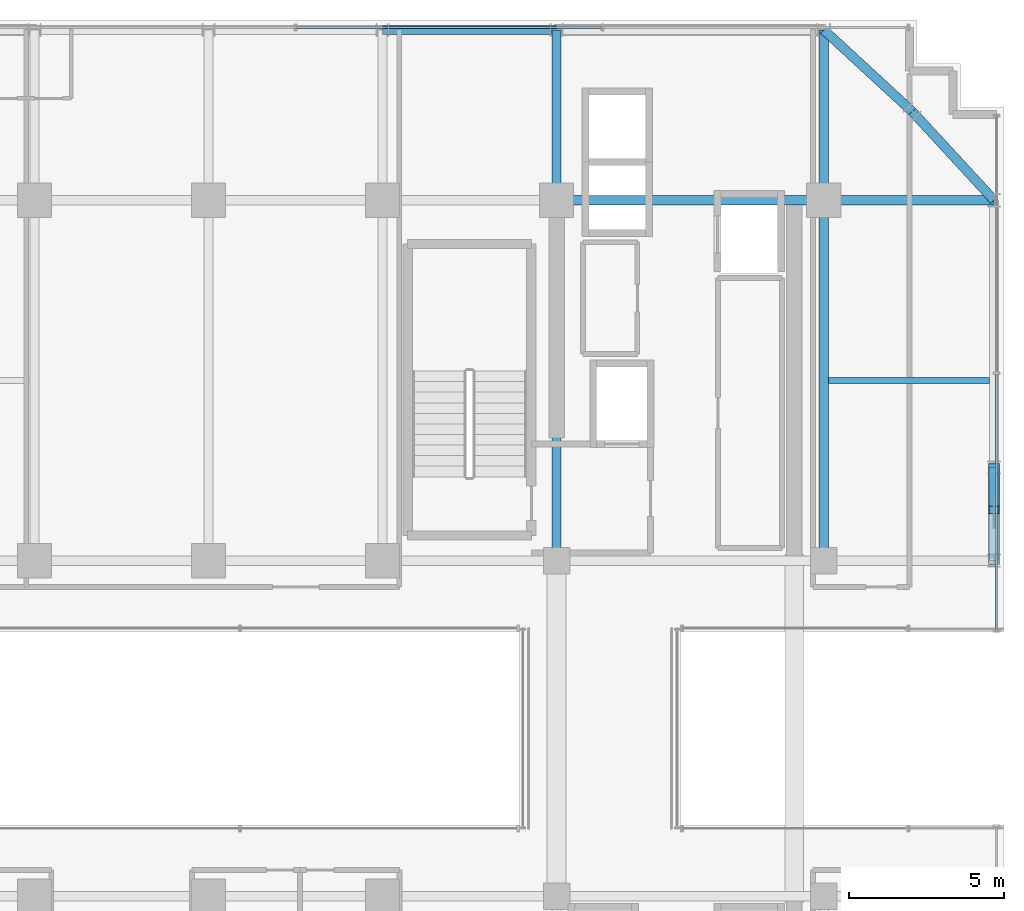
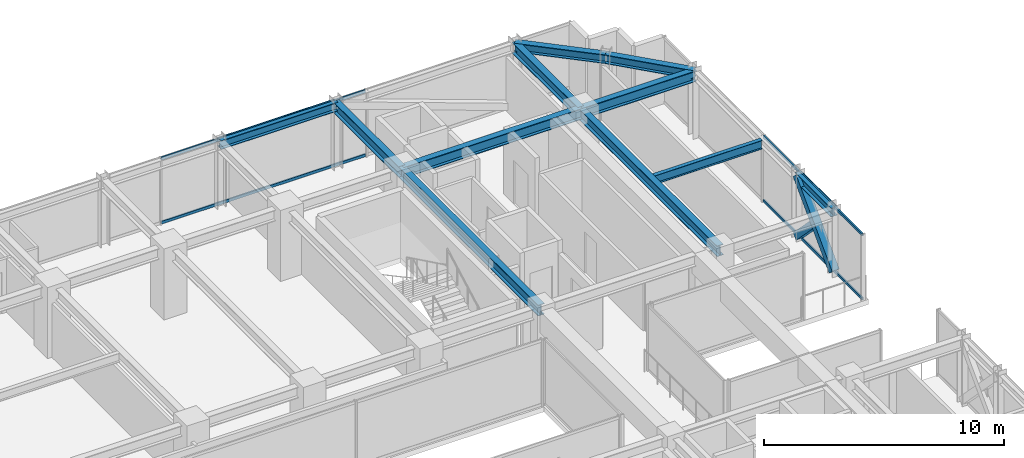
# One storey, part 25 of 36: 11 beams, 6 members, 2 elements without a shape of their own.
"""IFC4 building model written with IfcOpenShell, lengths in metres."""

from ifc_helpers import new_model, si_unit, direction, frame, origin, origin_2d, place, context, subcontext, project, spatial, hollow_rectangle, i_section, extrude, source, transform, mapped, material, material_profile, profile_set, type_object, element, aggregate, save


model = new_model("IFC4")

# Units and contexts
model_context = context("Model", 3, precision=1e-05, world=origin(), true_north=direction((0.0, 1.0)))
body_context = subcontext(model_context, "Body", "Model", "MODEL_VIEW")
ifc_project = project(units=[si_unit("LENGTHUNIT", "METRE"), si_unit("AREAUNIT", "SQUARE_METRE"), si_unit("VOLUMEUNIT", "CUBIC_METRE"), si_unit("PLANEANGLEUNIT", "RADIAN"), si_unit("MASSUNIT", "GRAM", prefix="KILO")], contexts=[model_context])

# Site, building, storey
site_placement = place(None, origin())
site = spatial("IfcSite", under=ifc_project, at=site_placement, CompositionType="ELEMENT")
building_placement = place(site_placement, origin())
building = spatial("IfcBuilding", under=site, at=building_placement, Name="Nahalor Promenade Grand Hotel", CompositionType="ELEMENT")
storey_placement = place(building_placement, frame((0.0, 0.0, 170.89990234375)))
storey = spatial("IfcBuildingStorey", under=building, at=storey_placement, Name="L43", CompositionType="ELEMENT", Elevation=170.89990234375)

# Beams
ifc_material_1 = material(Name="Steel S355JR", Category="steel")
ifc_material_profile_1 = material_profile(ifc_material_1, i_section(OverallWidth=0.3, OverallDepth=0.55, WebThickness=0.015, FlangeThickness=0.029, at=origin_2d()), Name="HEB 550")
ifc_profile_set_1 = profile_set([ifc_material_profile_1], Name="Steel S355JR")
beam_type_1 = type_object("IfcBeamType", Name="Beam-Girder-HEB550", PredefinedType="BEAM", material=ifc_profile_set_1)
shared_shape_1 = source(origin(), body_context, "Body", "SweptSolid", [
    extrude(i_section(OverallWidth=0.3, OverallDepth=0.55, WebThickness=0.015, FlangeThickness=0.029, at=origin_2d()), origin(), (0.0, 0.0, 1.0), 8.60009765625),
])
beam_1_placement = place(storey_placement, frame((8.39990234375, 17.0, 3.114990234375), z_axis=(1.0, 0.0, 0.0), x_axis=(0.0, 1.0, 0.0)))
element("IfcBeam", 1, at=beam_1_placement, inside=storey, type_object=beam_type_1, Name="BM-L43-GX-3-5", PredefinedType="BEAM", context=body_context, shape_type="MappedRepresentation", body=[
    mapped(shared_shape_1, transform((0.0, 0.0, 0.0), scale=1.0)),
])
shared_shape_2 = source(origin(), body_context, "Body", "SweptSolid", [
    extrude(i_section(OverallWidth=0.3, OverallDepth=0.55, WebThickness=0.015, FlangeThickness=0.029, at=origin_2d()), origin(), (0.0, 0.0, 1.0), 11.60009765625),
])
for number, where, z_axis, x_axis, name in (
    (2, (8.39990234375, 5.39990234375, 3.114990234375), (0.0, 1.0, 0.0), (-1.0, 0.0, 0.0), "BM-L43-GY-4-3"),
    (3, (17.0, 5.39990234375, 3.114990234375), (0.0, 1.0, 0.0), (-1.0, 0.0, 0.0), "BM-L43-GY-5-3"),
):
    element("IfcBeam", number, at=place(storey_placement, frame(where, z_axis=z_axis, x_axis=x_axis)), inside=storey, type_object=beam_type_1, Name=name, PredefinedType="BEAM", context=body_context, shape_type="MappedRepresentation", body=[
        mapped(shared_shape_2, transform((0.0, 0.0, 0.0), scale=1.0)),
    ])
shared_shape_3 = source(origin(), body_context, "Body", "SweptSolid", [
    extrude(i_section(OverallWidth=0.3, OverallDepth=0.55, WebThickness=0.015, FlangeThickness=0.029, at=origin_2d()), origin(), (0.0, 0.0, 1.0), 5.47998046875),
])
for number, where, z_axis, x_axis, name in (
    (4, (17.0, 17.0, 3.114990234375), (1.0, 0.0, 0.0), (0.0, 1.0, 0.0), "BM-L43-GX-3-6"),
    (5, (8.39990234375, 17.0, 3.114990234375), (0.0, 1.0, 0.0), (-1.0, 0.0, 0.0), "BM-L43-GY-4-4"),
    (6, (17.0, 17.0, 3.114990234375), (0.0, 1.0, 0.0), (-1.0, 0.0, 0.0), "BM-L43-GY-5-4"),
):
    element("IfcBeam", number, at=place(storey_placement, frame(where, z_axis=z_axis, x_axis=x_axis)), inside=storey, type_object=beam_type_1, Name=name, PredefinedType="BEAM", context=body_context, shape_type="MappedRepresentation", body=[
        mapped(shared_shape_3, transform((0.0, 0.0, 0.0), scale=1.0)),
    ])
ifc_material_profile_2 = material_profile(ifc_material_1, i_section(OverallWidth=0.19, OverallDepth=0.45, WebThickness=0.0094, FlangeThickness=0.0146, at=origin_2d()), Name="IPE 450")
ifc_profile_set_2 = profile_set([ifc_material_profile_2], Name="Steel S355JR")
beam_type_2 = type_object("IfcBeamType", Name="Beam-Joist-IPE450", PredefinedType="JOIST", material=ifc_profile_set_2)
shared_shape_4 = source(origin(), body_context, "Body", "SweptSolid", [
    extrude(i_section(OverallWidth=0.19, OverallDepth=0.45, WebThickness=0.0094, FlangeThickness=0.0146, at=origin_2d()), origin(), (0.0, 0.0, 1.0), 5.18017578125),
])
beam_2_placement = place(storey_placement, frame((17.14990234375, 11.199951171875, 3.1650390625), z_axis=(1.0, 0.0, 0.0), x_axis=(0.0, 1.0, 0.0)))
element("IfcBeam", 7, at=beam_2_placement, inside=storey, type_object=beam_type_2, Name="BM-L43-JSE-1-2", PredefinedType="JOIST", context=body_context, shape_type="MappedRepresentation", body=[
    mapped(shared_shape_4, transform((0.0, 0.0, 0.0), scale=1.0)),
])
ifc_material_profile_3 = material_profile(ifc_material_1, i_section(OverallWidth=0.3, OverallDepth=0.45, WebThickness=0.014, FlangeThickness=0.026, at=origin_2d()), Name="HEB 450")
ifc_profile_set_3 = profile_set([ifc_material_profile_3], Name="Steel S355JR")
beam_type_3 = type_object("IfcBeamType", Name="Beam-Spandrel-HEB450", PredefinedType="SPANDREL", material=ifc_profile_set_3)
shared_shape_5 = source(origin(), body_context, "Body", "SweptSolid", [
    extrude(i_section(OverallWidth=0.3, OverallDepth=0.45, WebThickness=0.014, FlangeThickness=0.026, at=origin_2d()), origin(), (0.0, 0.0, 1.0), 5.599853515625),
])
beam_3_placement = place(storey_placement, frame((2.800048828125, 22.47998046875, 3.1650390625), z_axis=(1.0, 0.0, 0.0), x_axis=(0.0, 1.0, 0.0)))
element("IfcBeam", 8, at=beam_3_placement, inside=storey, type_object=beam_type_3, Name="BM-L43-SP-N-3", PredefinedType="SPANDREL", context=body_context, shape_type="MappedRepresentation", body=[
    mapped(shared_shape_5, transform((0.0, 0.0, 0.0), scale=1.0)),
])
shared_shape_6 = source(origin(), body_context, "Body", "SweptSolid", [
    extrude(i_section(OverallWidth=0.3, OverallDepth=0.45, WebThickness=0.014, FlangeThickness=0.026, at=origin_2d()), origin(), (0.0, 0.0, 1.0), 3.0),
])
beam_4_placement = place(storey_placement, frame((22.47998046875, 5.39990234375, 3.1650390625), z_axis=(0.0, 1.0, 0.0), x_axis=(-1.0, 0.0, 0.0)))
element("IfcBeam", 9, at=beam_4_placement, inside=storey, type_object=beam_type_3, Name="BM-L43-SP-E-3", PredefinedType="SPANDREL", context=body_context, shape_type="MappedRepresentation", body=[
    mapped(shared_shape_6, transform((0.0, 0.0, 0.0), scale=1.0)),
])
shared_shape_7 = source(origin(), body_context, "Body", "SweptSolid", [
    extrude(i_section(OverallWidth=0.3, OverallDepth=0.45, WebThickness=0.014, FlangeThickness=0.026, at=origin_2d()), origin(), (0.0, 0.0, 1.0), 3.878173828125),
])
for number, where, z_axis, x_axis, name in (
    (10, (17.0, 22.47998046875, 3.1650390625), (0.73492893846, -0.678144125843, 0.0), (0.678144125843, 0.73492893846, 0.0), "BM-L43-SPC-NE-1"),
    (11, (19.85009765625, 19.85009765625, 3.1650390625), (0.678144125843, -0.73492893846, 0.0), (0.73492893846, 0.678144125843, 0.0), "BM-L43-SPC-NE-2"),
):
    element("IfcBeam", number, at=place(storey_placement, frame(where, z_axis=z_axis, x_axis=x_axis)), inside=storey, type_object=beam_type_3, Name=name, PredefinedType="SPANDREL", context=body_context, shape_type="MappedRepresentation", body=[
        mapped(shared_shape_7, transform((0.0, 0.0, 0.0), scale=1.0)),
    ])

# Members
ifc_material_profile_4 = material_profile(ifc_material_1, hollow_rectangle(XDim=0.35, YDim=0.35, WallThickness=0.02, at=origin_2d()), Name="SHS 350x350x20")
ifc_profile_set_4 = profile_set([ifc_material_profile_4], Name="Steel S355JR")
member_type_1 = type_object("IfcMemberType", Name="Mem-VoidBrace-SHS350", PredefinedType="BRACE", material=ifc_profile_set_4)
shared_shape_8 = source(origin(), body_context, "Body", "SweptSolid", [
    extrude(hollow_rectangle(XDim=0.35, YDim=0.35, WallThickness=0.02, at=origin_2d()), origin(), (0.0, 0.0, 1.0), 4.306640625),
])
member_1_placement = place(storey_placement, frame((22.47998046875, 5.39990234375, 0.150146484375), z_axis=(0.0, 0.696598997639, 0.717460686371), x_axis=(-1.0, 0.0, 0.0)))
element("IfcMember", 12, at=member_1_placement, inside=storey, type_object=member_type_1, Name="EXO-L43-VX1-E1", PredefinedType="BRACE", context=body_context, shape_type="MappedRepresentation", body=[
    mapped(shared_shape_8, transform((0.0, 0.0, 0.0), scale=1.0)),
])
shared_shape_9 = source(origin(), body_context, "Body", "SweptSolid", [
    extrude(hollow_rectangle(XDim=0.35, YDim=0.35, WallThickness=0.02, at=origin_2d()), origin(), (0.0, 0.0, 1.0), 1.966064453125),
])
member_2_placement = place(storey_placement, frame((22.47998046875, 8.39990234375, 0.150146484375), z_axis=(0.0, -0.696599482471, 0.717460215636), x_axis=(1.0, 0.0, 0.0)))
element("IfcMember", 13, at=member_2_placement, inside=storey, type_object=member_type_1, Name="EXO-L43-VX2-E1A", PredefinedType="BRACE", context=body_context, shape_type="MappedRepresentation", body=[
    mapped(shared_shape_9, transform((0.0, 0.0, 0.0), scale=1.0)),
])

# Curtain wall, members
ifc_material_2 = material(Name="Anodised Bronze Aluminium EN AW-6063 T6", Category="aluminium")
curtain_wall_type = type_object("IfcCurtainWallType", Name="CW3 Elliptical-Void Collar Unitised Curtain Wall", PredefinedType="USERDEFINED", material=ifc_material_2)
curtain_wall_1_placement = place(storey_placement, origin())
curtain_wall_1 = element("IfcCurtainWall", 14, at=curtain_wall_1_placement, inside=storey, type_object=curtain_wall_type, Name="L43 Curtain Wall CW-L43-N-1", ObjectType="UNITISED_CURTAIN_WALL", PredefinedType="USERDEFINED")
ifc_material_profile_5 = material_profile(ifc_material_2, hollow_rectangle(XDim=0.07, YDim=0.14, WallThickness=0.004, at=origin_2d()), Name="CWT 70x140x4")
ifc_profile_set_5 = profile_set([ifc_material_profile_5], Name="Anodised Bronze Aluminium EN AW-6063 T6")
member_type_2 = type_object("IfcMemberType", Name="CWT3 Void Collar Transom 70x140", PredefinedType="USERDEFINED", material=ifc_profile_set_5)
shared_shape_10 = source(origin(), body_context, "Body", "SweptSolid", [
    extrude(hollow_rectangle(XDim=0.07, YDim=0.14, WallThickness=0.004, at=origin_2d()), origin(), (0.0, 0.0, 1.0), 9.81005859375),
])
member_3_placement = place(storey_placement, frame((0.034912109375, 22.56005859375, 0.070068359375), z_axis=(1.0, 0.0, 0.0), x_axis=(0.0, 1.0, 0.0)))
member_3 = element("IfcMember", 15, at=member_3_placement, type_object=member_type_2, Name="CW-L43-N-1 Transom 2-0", ObjectType="TRANSOM", PredefinedType="USERDEFINED", context=body_context, shape_type="MappedRepresentation", body=[
    mapped(shared_shape_10, transform((0.0, 0.0, 0.0), scale=1.0)),
])
member_4_placement = place(storey_placement, frame((0.034912109375, 22.56005859375, 3.320068359375), z_axis=(1.0, 0.0, 0.0), x_axis=(0.0, 1.0, 0.0)))
member_4 = element("IfcMember", 16, at=member_4_placement, type_object=member_type_2, Name="CW-L43-N-1 Transom 2-1", ObjectType="TRANSOM", PredefinedType="USERDEFINED", context=body_context, shape_type="MappedRepresentation", body=[
    mapped(shared_shape_10, transform((0.0, 0.0, 0.0), scale=1.0)),
])
aggregate(curtain_wall_1, [member_3, member_4])

curtain_wall_2_placement = place(storey_placement, origin())
curtain_wall_2 = element("IfcCurtainWall", 17, at=curtain_wall_2_placement, inside=storey, type_object=curtain_wall_type, Name="L43 Curtain Wall CW-L43-E-2", ObjectType="UNITISED_CURTAIN_WALL", PredefinedType="USERDEFINED")
shared_shape_11 = source(origin(), body_context, "Body", "SweptSolid", [
    extrude(hollow_rectangle(XDim=0.07, YDim=0.14, WallThickness=0.004, at=origin_2d()), origin(), (0.0, 0.0, 1.0), 8.22509765625),
])
member_5_placement = place(storey_placement, frame((22.56005859375, 3.169921875, 0.070068359375), z_axis=(0.0, 1.0, 0.0), x_axis=(-1.0, 0.0, 0.0)))
member_5 = element("IfcMember", 18, at=member_5_placement, type_object=member_type_2, Name="CW-L43-E-2 Transom 0-0", ObjectType="TRANSOM", PredefinedType="USERDEFINED", context=body_context, shape_type="MappedRepresentation", body=[
    mapped(shared_shape_11, transform((0.0, 0.0, 0.0), scale=1.0)),
])
member_6_placement = place(storey_placement, frame((22.56005859375, 3.169921875, 3.320068359375), z_axis=(0.0, 1.0, 0.0), x_axis=(-1.0, 0.0, 0.0)))
member_6 = element("IfcMember", 19, at=member_6_placement, type_object=member_type_2, Name="CW-L43-E-2 Transom 0-1", ObjectType="TRANSOM", PredefinedType="USERDEFINED", context=body_context, shape_type="MappedRepresentation", body=[
    mapped(shared_shape_11, transform((0.0, 0.0, 0.0), scale=1.0)),
])
aggregate(curtain_wall_2, [member_5, member_6])

save(model, "model.ifc")
